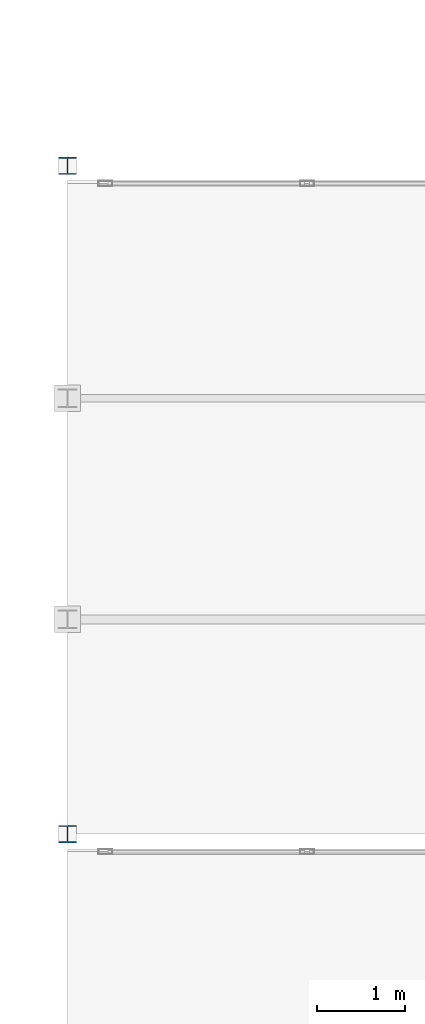
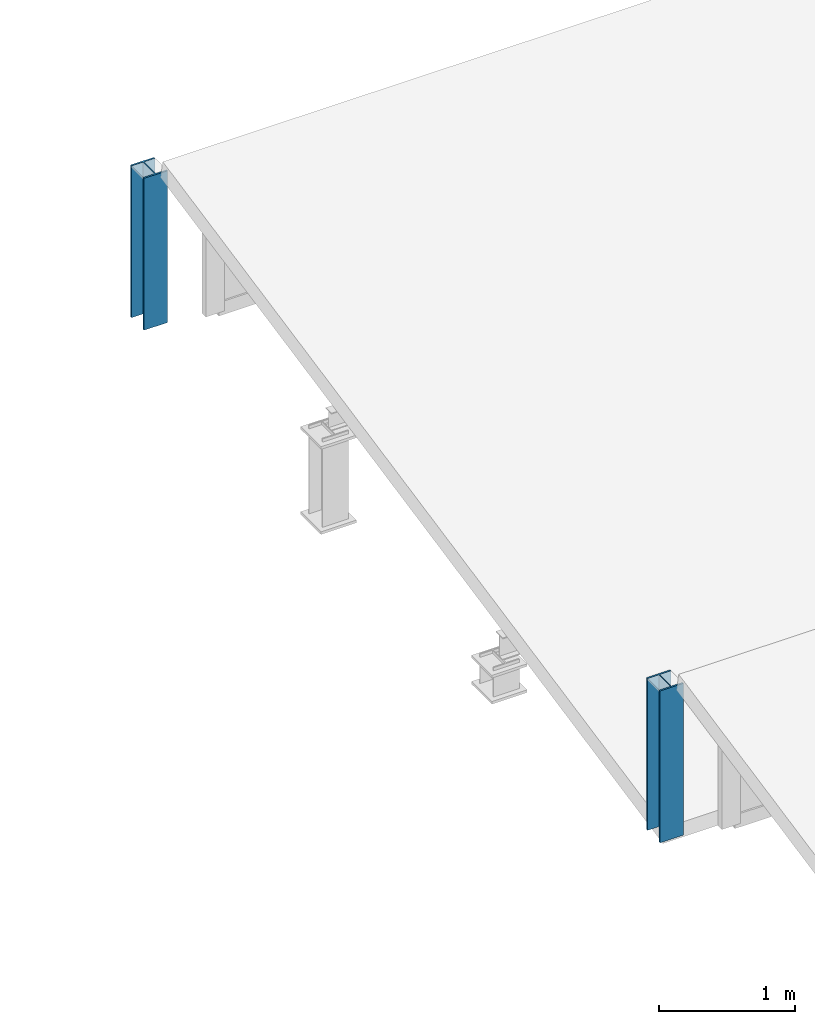
# One storey, part 1 of 114: 2 columns.
"""IFC4 building model written with IfcOpenShell, lengths in metres."""

from ifc_helpers import new_model, si_unit, direction, frame, origin, origin_2d, place, context, subcontext, project, spatial, i_section, extrude, material, material_profile, profile_set, type_object, element, save


model = new_model("IFC4")

# Units and contexts
model_context = context("Model", 3, precision=1e-05, world=origin(), true_north=direction((0.0, 1.0)))
body_context = subcontext(model_context, "Body", "Model", "MODEL_VIEW")
ifc_project = project(units=[si_unit("LENGTHUNIT", "METRE"), si_unit("AREAUNIT", "SQUARE_METRE"), si_unit("VOLUMEUNIT", "CUBIC_METRE"), si_unit("PLANEANGLEUNIT", "RADIAN"), si_unit("MASSUNIT", "GRAM", prefix="KILO")], contexts=[model_context])

# Site, building, storey
site_placement = place(None, origin())
site = spatial("IfcSite", under=ifc_project, at=site_placement, CompositionType="ELEMENT")
building_placement = place(site_placement, origin())
building = spatial("IfcBuilding", under=site, at=building_placement, Name="Montecoro Central Library", CompositionType="ELEMENT")
storey_placement = place(building_placement, frame((0.0, 0.0, 13.260009765625)))
storey = spatial("IfcBuildingStorey", under=building, at=storey_placement, Name="L03", CompositionType="ELEMENT", Elevation=13.260009765625)

# Columns
ifc_material = material(Name="Steel S355", Category="steel")
ifc_material_profile = material_profile(ifc_material, i_section(OverallWidth=0.199951171875, OverallDepth=0.199951171875, WebThickness=0.009033203125, FlangeThickness=0.014892578125, at=origin_2d()), Name="HEB 200")
ifc_profile_set = profile_set([ifc_material_profile], Name="Steel S355")
column_type = type_object("IfcColumnType", Name="COL-HEB200", PredefinedType="COLUMN", material=ifc_profile_set)
for number, where, z_axis, x_axis, name in (
    (1, (5.0, 27.800048828125, -0.0400390625), (0.0, 0.0, 1.0), (1.0, 0.0, 0.0), "V3-ROOF-POST1-W"),
    (2, (5.0, 35.39990234375, -0.0400390625), (0.0, 0.0, 1.0), (1.0, 0.0, 0.0), "V3-ROOF-POST2-W"),
):
    element("IfcColumn", number, at=place(storey_placement, frame(where, z_axis=z_axis, x_axis=x_axis)), inside=storey, type_object=column_type, Name=name, PredefinedType="COLUMN", context=body_context, shape_type="SweptSolid", body=[
        extrude(i_section(OverallWidth=0.199951171875, OverallDepth=0.199951171875, WebThickness=0.009033203125, FlangeThickness=0.014892578125, at=origin_2d()), origin(), (0.0, 0.0, 1.0), 1.364990234375),
    ])

save(model, "model.ifc")
